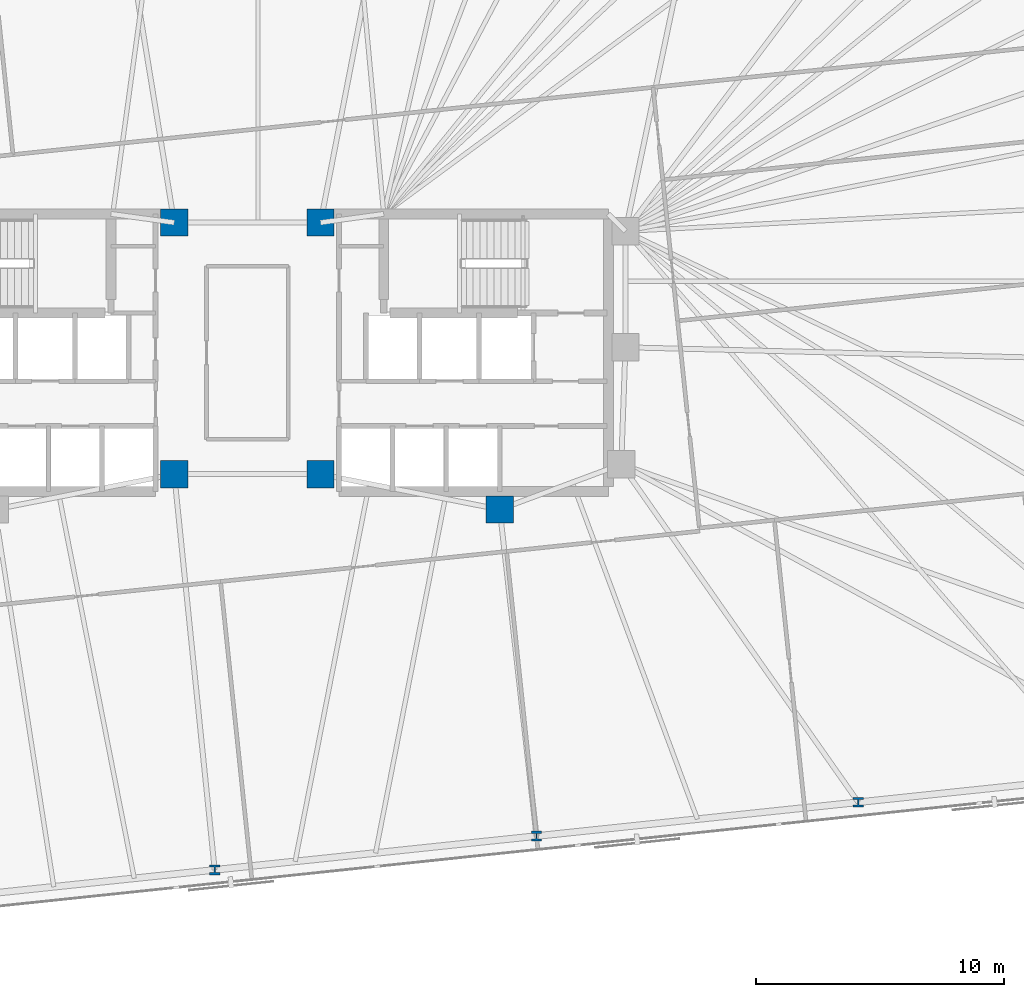
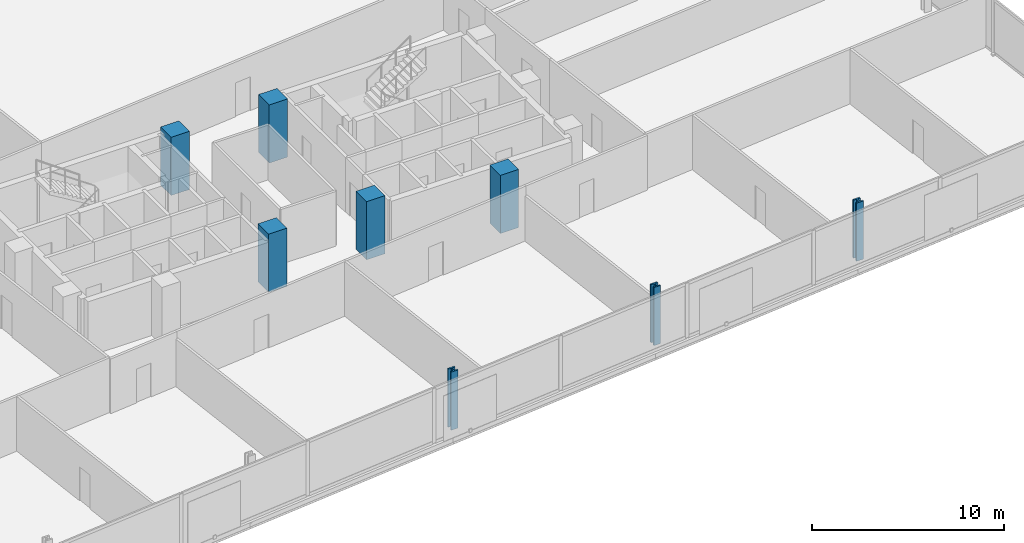
# One storey, part 3 of 18: 8 columns.
"""IFC4 building model written with IfcOpenShell, lengths in metres."""

import ifcopenshell
import ifcopenshell.guid

model = None  # the IFC model being written
_history = None  # IfcOwnerHistory: only IFC2X3 demands one
_inside = {}  # id of a spatial element -> (the spatial element, [elements in it])
_under = {}  # id of a project, library or spatial element -> (it, [spatial elements below it])
_declared = {}  # id of a project -> (the project, [libraries it declares])
_typed = {}  # id of a type object -> (the type object, [elements of that type])
_made_of = {}  # id of a material, layer set ... -> (it, [elements and type objects made of it])


def new_model(schema):
    """Start an empty IFC model of exactly this schema.

    Asked for "IFC4X3", IfcOpenShell would pick the latest addendum, in which some entities
    have other attributes; the version numbers below select the first issue.
    IFC2X3 requires an IfcOwnerHistory on every rooted entity: one is made here for all.
    """
    global model, _history
    if schema == "IFC4X3":
        model = ifcopenshell.file(schema_version=(4, 3, 0, 0))
    else:
        model = ifcopenshell.file(schema=schema)
    _inside.clear()
    _under.clear()
    _declared.clear()
    _typed.clear()
    _made_of.clear()
    _history = None
    if model.schema == "IFC2X3":
        org = make("IfcOrganization", Name="unknown")
        user = make(
            "IfcPersonAndOrganization",
            ThePerson=make("IfcPerson", FamilyName="unknown"),
            TheOrganization=org,
        )
        app = make(
            "IfcApplication",
            ApplicationDeveloper=org,
            Version="unknown",
            ApplicationFullName="unknown",
            ApplicationIdentifier="unknown",
        )
        _history = make(
            "IfcOwnerHistory",
            OwningUser=user,
            OwningApplication=app,
            ChangeAction="ADDED",
            CreationDate=0,
        )
    return model


def make(cls, **values):
    """One entity of the class cls with the attributes given. An attribute that is None is left unset."""
    return model.create_entity(
        cls, **{name: value for name, value in values.items() if value is not None}
    )


def rooted(cls, **values):
    """An entity with a GlobalId (a new one), such as an element, a storey or a relation."""
    return make(cls, GlobalId=ifcopenshell.guid.new(), OwnerHistory=_history, **values)


def si_unit(unit_type, name, prefix=None):
    """IfcSIUnit, for example si_unit("LENGTHUNIT", "METRE", prefix="MILLI")."""
    return make("IfcSIUnit", UnitType=unit_type, Prefix=prefix, Name=name)


def assignment(units):
    """IfcUnitAssignment: the units of a project."""
    return None if units is None else make("IfcUnitAssignment", Units=units)


def point(xyz):
    """IfcCartesianPoint."""
    return None if xyz is None else make("IfcCartesianPoint", Coordinates=xyz)


def direction(xyz):
    """IfcDirection."""
    return None if xyz is None else make("IfcDirection", DirectionRatios=xyz)


def frame(location, z_axis=None, x_axis=None):
    """IfcAxis2Placement3D, a coordinate frame: its origin and axes. An axis left out is left unset."""
    return make(
        "IfcAxis2Placement3D",
        Location=point(location),
        Axis=direction(z_axis),
        RefDirection=direction(x_axis),
    )


def frame_2d(location, x_axis=None):
    """IfcAxis2Placement2D, a coordinate frame in the plane: its origin and x axis."""
    return make(
        "IfcAxis2Placement2D", Location=point(location), RefDirection=direction(x_axis)
    )


def origin():
    """The frame at (0, 0, 0) with its axes left unset."""
    return frame((0.0, 0.0, 0.0))


def origin_2d():
    """The frame at (0, 0) in the plane with its x axis left unset."""
    return frame_2d((0.0, 0.0))


def place(relative_to, where):
    """IfcLocalPlacement: puts the frame where relative to a parent placement (None: the world)."""
    return make(
        "IfcLocalPlacement", PlacementRelTo=relative_to, RelativePlacement=where
    )


def context(
    kind, dimensions, precision=None, world=None, true_north=None, identifier=None
):
    """IfcGeometricRepresentationContext, for example the 3D "Model" context."""
    return make(
        "IfcGeometricRepresentationContext",
        ContextIdentifier=identifier,
        ContextType=kind,
        CoordinateSpaceDimension=dimensions,
        Precision=precision,
        WorldCoordinateSystem=world,
        TrueNorth=true_north,
    )


def subcontext(parent, identifier, kind, view, scale=None):
    """IfcGeometricRepresentationSubContext, for example "Body" below "Model"."""
    return make(
        "IfcGeometricRepresentationSubContext",
        ContextIdentifier=identifier,
        ContextType=kind,
        ParentContext=parent,
        TargetScale=scale,
        TargetView=view,
    )


def project(units=None, contexts=None):
    """IfcProject with its units and contexts."""
    return rooted(
        "IfcProject",
        Name="project",
        RepresentationContexts=contexts,
        UnitsInContext=assignment(units),
    )


def spatial(cls, under=None, at=None, **own):
    """A site, building, storey or space (cls), placed at a placement, below another one or the project."""
    s = rooted(cls, ObjectPlacement=at, **own)
    if under is not None:
        _under.setdefault(under.id(), (under, []))[1].append(s)
    return s


def profile(cls, at=None, kind="AREA", **sizes):
    """A parametric profile (cls). Its sizes go by their IFC names, for example OverallWidth=200.0."""
    return make(cls, ProfileType=kind, Position=at, **sizes)


def rectangle(**sizes):
    """IfcRectangleProfileDef."""
    return profile("IfcRectangleProfileDef", **sizes)


def i_section(**sizes):
    """IfcIShapeProfileDef."""
    return profile("IfcIShapeProfileDef", **sizes)


def extrude(swept, where, along, depth):
    """IfcExtrudedAreaSolid: the profile swept, set in the frame where, extruded along a direction by depth."""
    return make(
        "IfcExtrudedAreaSolid",
        SweptArea=swept,
        Position=where,
        ExtrudedDirection=direction(along),
        Depth=depth,
    )


def shape(context_of_items, identifier, shape_type, items):
    """IfcShapeRepresentation: the items that make up one representation, for example the "Body"."""
    return make(
        "IfcShapeRepresentation",
        ContextOfItems=context_of_items,
        RepresentationIdentifier=identifier,
        RepresentationType=shape_type,
        Items=items,
    )


def material(Name=None, Category=None):
    """IfcMaterial."""
    return make("IfcMaterial", Name=Name, Category=Category)


def material_profile(
    of_material, cross_section, Name=None, Category=None, Priority=None
):
    """IfcMaterialProfile: a cross section and its material."""
    return make(
        "IfcMaterialProfile",
        Name=Name,
        Material=of_material,
        Profile=cross_section,
        Priority=Priority,
        Category=Category,
    )


def profile_set(profiles, Name=None, composite=None):
    """IfcMaterialProfileSet."""
    return make(
        "IfcMaterialProfileSet",
        Name=Name,
        MaterialProfiles=profiles,
        CompositeProfile=composite,
    )


def made_of(thing, what):
    """Note that an element or type object is made of a material, layer set ...; save() writes the relation."""
    if what is not None:
        _made_of.setdefault(what.id(), (what, []))[1].append(thing)
    return thing


def type_object(cls, material=None, **own):
    """A type object (cls), such as IfcWallType, which elements share."""
    return made_of(rooted(cls, **own), material)


def element(
    cls,
    number,
    at=None,
    inside=None,
    cuts=None,
    type_object=None,
    material=None,
    context=None,
    identifier="Body",
    shape_type=None,
    held_by="IfcProductDefinitionShape",
    body=None,
    shapes=None,
    **own,
):
    """One element of the class cls, such as IfcWall. Its Tag is "e" and its number.

    at: its placement. inside: the storey or other place that contains it. cuts: it is an
    opening in that element (IfcRelVoidsElement). A single representation is given by context,
    identifier, shape_type and body (its items); several are given by shapes. held_by: the class
    of the entity that holds the representations. save() writes the other relations.
    """
    e = rooted(cls, Tag="e%d" % number, ObjectPlacement=at, **own)
    if body is not None:
        shapes = [shape(context, identifier, shape_type, body)]
    if shapes is not None:
        e.Representation = make(held_by, Representations=shapes)
    if inside is not None:
        _inside.setdefault(inside.id(), (inside, []))[1].append(e)
    if cuts is not None:
        rooted(
            "IfcRelVoidsElement", RelatingBuildingElement=cuts, RelatedOpeningElement=e
        )
    if type_object is not None:
        _typed.setdefault(type_object.id(), (type_object, []))[1].append(e)
    return made_of(e, material)


def aggregate(whole, parts):
    """IfcRelAggregates: a whole, such as a stair, and the parts it consists of."""
    return rooted("IfcRelAggregates", RelatingObject=whole, RelatedObjects=parts)


def save(model, path):
    """Write the relations noted so far, then the file.

    IfcRelAggregates (storeys below a building ...), IfcRelContainedInSpatialStructure (elements
    in a storey), IfcRelDefinesByType, IfcRelAssociatesMaterial and IfcRelDeclares: one each for
    every whole, place, type object, material and project.
    """
    for whole, parts in _under.values():
        aggregate(whole, parts)
    for where, things in _inside.values():
        rooted(
            "IfcRelContainedInSpatialStructure",
            RelatedElements=things,
            RelatingStructure=where,
        )
    for kind, things in _typed.values():
        rooted("IfcRelDefinesByType", RelatedObjects=things, RelatingType=kind)
    for what, things in _made_of.values():
        rooted("IfcRelAssociatesMaterial", RelatedObjects=things, RelatingMaterial=what)
    for by, libraries in _declared.values():
        rooted("IfcRelDeclares", RelatingContext=by, RelatedDefinitions=libraries)
    model.write(path)


model = new_model("IFC4")

# Units and contexts
model_context = context("Model", 3, precision=1e-05, world=origin(), true_north=direction((0.0, 1.0)))
body_context = subcontext(model_context, "Body", "Model", "MODEL_VIEW")
ifc_project = project(units=[si_unit("LENGTHUNIT", "METRE"), si_unit("AREAUNIT", "SQUARE_METRE"), si_unit("VOLUMEUNIT", "CUBIC_METRE"), si_unit("PLANEANGLEUNIT", "RADIAN"), si_unit("MASSUNIT", "GRAM", prefix="KILO")], contexts=[model_context])

# Site, building, storey
site_placement = place(None, origin())
site = spatial("IfcSite", under=ifc_project, at=site_placement, CompositionType="ELEMENT")
building_placement = place(site_placement, origin())
building = spatial("IfcBuilding", under=site, at=building_placement, Name="Menara Jurai Vektor", CompositionType="ELEMENT")
storey_placement = place(building_placement, frame((0.0, 0.0, 124.39990234375)))
storey = spatial("IfcBuildingStorey", under=building, at=storey_placement, Name="L31", CompositionType="ELEMENT", Elevation=124.39990234375)

# Columns
ifc_material_1 = material(Name="Concrete C50/60", Category="concrete")
ifc_material_profile_1 = material_profile(ifc_material_1, rectangle(XDim=1.10009765625, YDim=1.10009765625, at=origin_2d()), Name="RC 1100x1100")
ifc_profile_set_1 = profile_set([ifc_material_profile_1], Name="Concrete C50/60")
column_type_1 = type_object("IfcColumnType", Name="STR-COL-RC1100", PredefinedType="COLUMN", material=ifc_profile_set_1)
for number, where, z_axis, x_axis, name in (
    (1, (-2.949951171875, -4.89990234375, 0.0), (0.0, 0.0, 1.0), (1.0, 0.0, 0.0), "Core Spine Column CW-SE L31"),
    (2, (-2.949951171875, 5.25, 0.0), (0.0, 0.0, 1.0), (1.0, 0.0, 0.0), "Core Spine Column CW-NE L31"),
    (3, (10.179931640625, -6.320068359375, 0.0), (0.0, 0.0, 1.0), (1.0, 0.0, 0.0), "Core Spine Column CE-SM L31"),
    (4, (2.949951171875, -4.89990234375, 0.0), (0.0, 0.0, 1.0), (1.0, 0.0, 0.0), "Core Spine Column CE-SW L31"),
    (5, (2.949951171875, 5.25, 0.0), (0.0, 0.0, 1.0), (1.0, 0.0, 0.0), "Core Spine Column CE-NW L31"),
):
    element("IfcColumn", number, at=place(storey_placement, frame(where, z_axis=z_axis, x_axis=x_axis)), inside=storey, type_object=column_type_1, Name=name, PredefinedType="COLUMN", context=body_context, shape_type="SweptSolid", body=[
        extrude(rectangle(XDim=1.10009765625, YDim=1.10009765625, at=origin_2d()), origin(), (0.0, 0.0, 1.0), 3.7001953125),
    ])
ifc_material_2 = material(Name="Steel S460", Category="steel")
ifc_material_profile_2 = material_profile(ifc_material_2, i_section(OverallWidth=0.4130859375, OverallDepth=0.39794921875, WebThickness=0.055908203125, FlangeThickness=0.089111328125, FilletRadius=0.014892578125, at=origin_2d()), Name="HD 400x744")
ifc_profile_set_2 = profile_set([ifc_material_profile_2], Name="Steel S460")
column_type_2 = type_object("IfcColumnType", Name="STR-EXO-BLK2", PredefinedType="COLUMN", material=ifc_profile_set_2)
for number, where, z_axis, x_axis, name in (
    (6, (-1.317138671875, -20.857666015625, 0.0), (0.0, 0.0, 1.0), (1.0, 0.0, 0.0), "Exoskeleton Column BLK2-S3 L31"),
    (7, (11.66259765625, -19.49365234375, 0.0), (0.0, 0.0, 1.0), (1.0, 0.0, 0.0), "Exoskeleton Column BLK2-S4 L31"),
    (8, (24.642333984375, -18.12939453125, 0.0), (0.0, 0.0, 1.0), (1.0, 0.0, 0.0), "Exoskeleton Column BLK2-S5 L31"),
):
    element("IfcColumn", number, at=place(storey_placement, frame(where, z_axis=z_axis, x_axis=x_axis)), inside=storey, type_object=column_type_2, Name=name, PredefinedType="COLUMN", context=body_context, shape_type="SweptSolid", body=[
        extrude(i_section(OverallWidth=0.4130859375, OverallDepth=0.39794921875, WebThickness=0.055908203125, FlangeThickness=0.089111328125, FilletRadius=0.014892578125, at=origin_2d()), origin(), (0.0, 0.0, 1.0), 3.7001953125),
    ])

save(model, "model.ifc")
